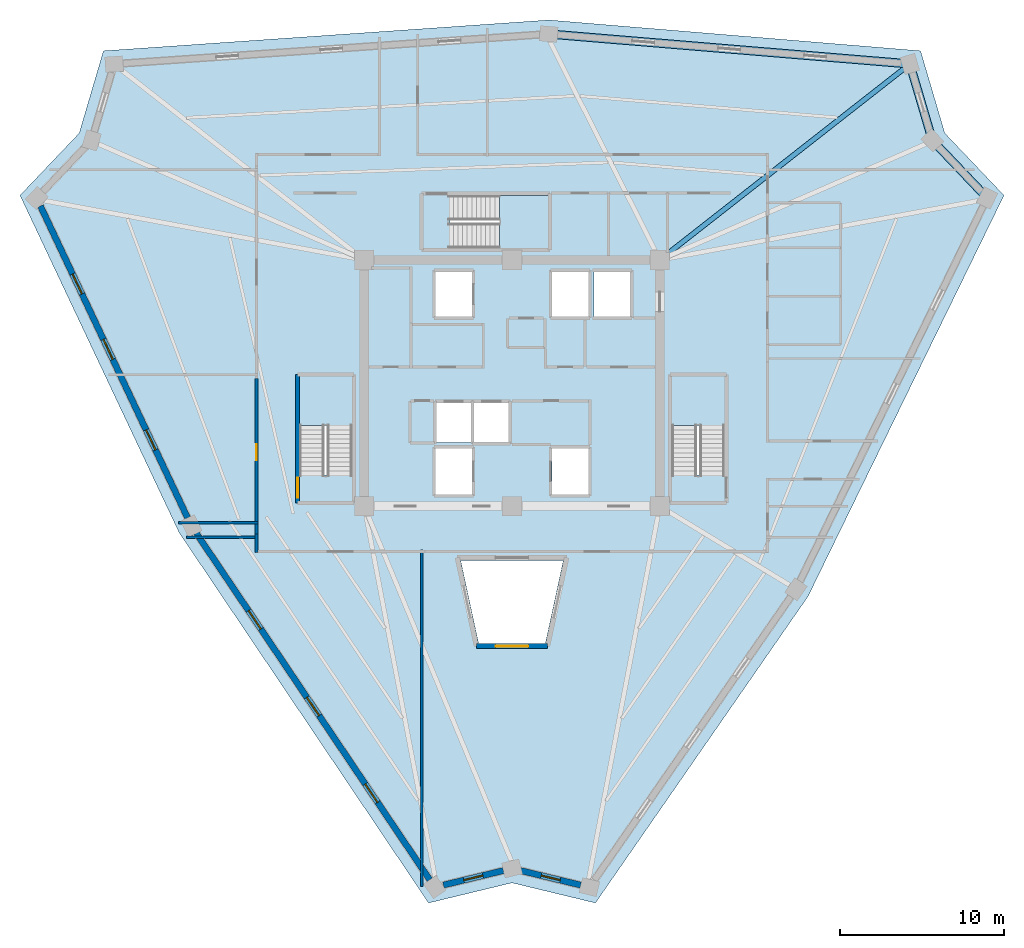
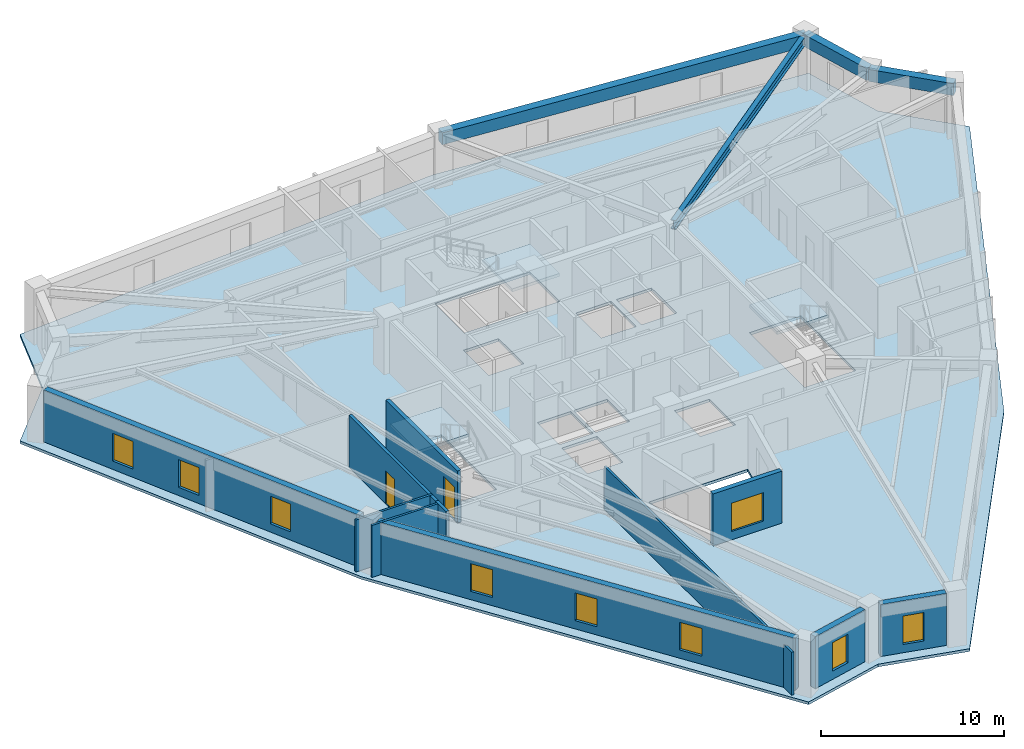
# One storey, part 2 of 8: 11 walls, 9 windows, 4 beams, 4 slabs, 2 doors, 11 openings, 3 elements without a shape of their own.
"""IFC4 building model written with IfcOpenShell, lengths in metres."""

from ifc_helpers import new_model, si_unit, direction, frame, frame_2d, origin, origin_2d, place, context, subcontext, project, spatial, polyline, rectangle, i_section, outline, extrude, source, transform, mapped, material, layer, layer_set, material_profile, profile_set, type_object, element, fill, aggregate, save


model = new_model("IFC4")

# Units and contexts
model_context = context("Model", 3, precision=1e-05, world=origin(), true_north=direction((0.0, 1.0)))
body_context = subcontext(model_context, "Body", "Model", "MODEL_VIEW")
ifc_project = project(units=[si_unit("LENGTHUNIT", "METRE"), si_unit("AREAUNIT", "SQUARE_METRE"), si_unit("VOLUMEUNIT", "CUBIC_METRE"), si_unit("PLANEANGLEUNIT", "RADIAN"), si_unit("MASSUNIT", "GRAM", prefix="KILO")], contexts=[model_context])

# Site, building, storey
site_placement = place(None, origin())
site = spatial("IfcSite", under=ifc_project, at=site_placement, CompositionType="ELEMENT")
building_placement = place(site_placement, origin())
building = spatial("IfcBuilding", under=site, at=building_placement, Name="Liaohun Quay Tower", CompositionType="ELEMENT")
storey_placement = place(building_placement, frame((0.0, 0.0, 347.25)))
storey = spatial("IfcBuildingStorey", under=building, at=storey_placement, Name="L90", CompositionType="ELEMENT", Elevation=347.25)

# Beams
ifc_material_1 = material(Name="Precast concrete C50", Category="concrete")
ifc_material_profile_1 = material_profile(ifc_material_1, rectangle(XDim=0.5, YDim=0.800048828125, at=origin_2d()), Name="RC500x800")
ifc_profile_set_1 = profile_set([ifc_material_profile_1], Name="Precast concrete C50")
beam_type_1 = type_object("IfcBeamType", Name="BM-SPD-Z4", PredefinedType="SPANDREL", material=ifc_profile_set_1)
shared_shape_1 = source(origin(), body_context, "Body", "SweptSolid", [
    extrude(rectangle(XDim=0.5, YDim=0.800048828125, at=origin_2d()), origin(), (0.0, 0.0, 1.0), 22.07666015625),
])
beam_1_placement = place(storey_placement, frame((62.23388671875, 75.262939453125, 3.070068359375), z_axis=(0.996577488484, -0.082663833976, 0.0), x_axis=(0.082663833976, 0.996577488484, 0.0)))
element("IfcBeam", 1, at=beam_1_placement, inside=storey, type_object=beam_type_1, Name="L90 Precast Spandrel Beam PC06-PC07", PredefinedType="SPANDREL", context=body_context, shape_type="MappedRepresentation", body=[
    mapped(shared_shape_1, transform((0.0, 0.0, 0.0), x_axis=(1.0, 0.0, 0.0), y_axis=(0.0, 1.0, 0.0), z_axis=(0.0, 0.0, 1.0), scale=1.0)),
])
shared_shape_2 = source(origin(), body_context, "Body", "SweptSolid", [
    extrude(rectangle(XDim=0.5, YDim=0.800048828125, at=origin_2d()), origin(), (0.0, 0.0, 1.0), 4.85205078125),
])
beam_2_placement = place(storey_placement, frame((84.235107421875, 73.43798828125, 3.070068359375), z_axis=(0.282732905255, -0.959198678213, 0.0), x_axis=(0.959198678213, 0.282732905255, 0.0)))
element("IfcBeam", 2, at=beam_2_placement, inside=storey, type_object=beam_type_1, Name="L90 Precast Spandrel Beam PC07-PC08", PredefinedType="SPANDREL", context=body_context, shape_type="MappedRepresentation", body=[
    mapped(shared_shape_2, transform((0.0, 0.0, 0.0), x_axis=(1.0, 0.0, 0.0), y_axis=(0.0, 1.0, 0.0), z_axis=(0.0, 0.0, 1.0), scale=1.0)),
])
shared_shape_3 = source(origin(), body_context, "Body", "SweptSolid", [
    extrude(rectangle(XDim=0.5, YDim=0.800048828125, at=origin_2d()), origin(), (0.0, 0.0, 1.0), 4.84326171875),
])
beam_3_placement = place(storey_placement, frame((85.60693359375, 68.783935546875, 3.070068359375), z_axis=(0.689449970501, -0.724333305997, 0.0), x_axis=(0.724333305997, 0.689449970501, 0.0)))
element("IfcBeam", 3, at=beam_3_placement, inside=storey, type_object=beam_type_1, Name="L90 Precast Spandrel Beam PC08-PC09", PredefinedType="SPANDREL", context=body_context, shape_type="MappedRepresentation", body=[
    mapped(shared_shape_3, transform((0.0, 0.0, 0.0), x_axis=(1.0, 0.0, 0.0), y_axis=(0.0, 1.0, 0.0), z_axis=(0.0, 0.0, 1.0), scale=1.0)),
])
ifc_material_2 = material(Name="Steel Q355D", Category="steel")
ifc_material_profile_2 = material_profile(ifc_material_2, i_section(OverallWidth=0.300048828125, OverallDepth=0.587890625, WebThickness=0.011962890625, FlangeThickness=0.02001953125, at=origin_2d()), Name="HM588x300x12x20")
ifc_profile_set_2 = profile_set([ifc_material_profile_2], Name="Steel Q355D")
beam_type_2 = type_object("IfcBeamType", Name="BM-RAD-U2", PredefinedType="BEAM", material=ifc_profile_set_2)
shared_shape_4 = source(origin(), body_context, "Body", "SweptSolid", [
    extrude(i_section(OverallWidth=0.300048828125, OverallDepth=0.587890625, WebThickness=0.011962890625, FlangeThickness=0.02001953125, at=origin_2d()), origin(), (0.0, 0.0, 1.0), 18.9677734375),
])
beam_4_placement = place(storey_placement, frame((69.0, 61.5, 3.176025390625), z_axis=(0.787337388481, 0.616522373236, 0.0), x_axis=(-0.616522373236, 0.787337388481, 0.0)))
element("IfcBeam", 4, at=beam_4_placement, inside=storey, type_object=beam_type_2, Name="L90 Radial Primary Girder CC4-PC07", PredefinedType="BEAM", context=body_context, shape_type="MappedRepresentation", body=[
    mapped(shared_shape_4, transform((0.0, 0.0, 0.0), x_axis=(1.0, 0.0, 0.0), y_axis=(0.0, 1.0, 0.0), z_axis=(0.0, 0.0, 1.0), scale=1.0)),
])

# Stair, slab
ifc_material_3 = material(Name="Concrete C45", Category="concrete")
stair_type = type_object("IfcStairType", Name="STR-CORE-OFF", PredefinedType="HALF_TURN_STAIR", material=ifc_material_3)
stair_1_placement = place(storey_placement, origin())
stair_1 = element("IfcStair", 5, at=stair_1_placement, inside=storey, type_object=stair_type, Name="L90 Smokeproof Core Exit Stair ST-1", PredefinedType="HALF_TURN_STAIR")
ifc_layer_1 = layer(ifc_material_3, 0.199951171875, Name="Concrete C45", Category="concrete")
ifc_layer_set_1 = layer_set([ifc_layer_1], Name="Concrete C45")
slab_type_1 = type_object("IfcSlabType", Name="SLB-LND-200", PredefinedType="LANDING", material=ifc_layer_set_1)
slab_1_placement = place(storey_placement, frame((0.0, 0.0, 1.675048828125)))
slab_1 = element("IfcSlab", 6, at=slab_1_placement, type_object=slab_type_1, Name="ST-1 landing 1", PredefinedType="LANDING", context=body_context, shape_type="SweptSolid", body=[
    extrude(outline(polyline([(50.280029296875, 51.429931640625), (50.280029296875, 54.419921875), (47.0400390625, 54.419921875), (47.0400390625, 51.429931640625), (50.280029296875, 51.429931640625)])), origin(), (0.0, 0.0, 1.0), 0.199951171875),
])
aggregate(stair_1, [slab_1])

stair_2_placement = place(storey_placement, origin())
stair_2 = element("IfcStair", 7, at=stair_2_placement, inside=storey, type_object=stair_type, Name="L90 Smokeproof Core Exit Stair ST-2", PredefinedType="HALF_TURN_STAIR")
slab_2_placement = place(storey_placement, frame((0.0, 0.0, 1.675048828125)))
slab_2 = element("IfcSlab", 8, at=slab_2_placement, type_object=slab_type_1, Name="ST-2 landing 1", PredefinedType="LANDING", context=body_context, shape_type="SweptSolid", body=[
    extrude(outline(polyline([(72.9599609375, 51.429931640625), (72.9599609375, 54.419921875), (69.719970703125, 54.419921875), (69.719970703125, 51.429931640625), (72.9599609375, 51.429931640625)])), origin(), (0.0, 0.0, 1.0), 0.199951171875),
])
aggregate(stair_2, [slab_2])

stair_3_placement = place(storey_placement, origin())
stair_3 = element("IfcStair", 9, at=stair_3_placement, inside=storey, type_object=stair_type, Name="L90 Smokeproof Core Exit Stair ST-3", PredefinedType="HALF_TURN_STAIR")
slab_3_placement = place(storey_placement, frame((0.0, 0.0, 1.675048828125)))
slab_3 = element("IfcSlab", 10, at=slab_3_placement, type_object=slab_type_1, Name="ST-3 landing 1", PredefinedType="LANDING", context=body_context, shape_type="SweptSolid", body=[
    extrude(outline(polyline([(59.22998046875, 62.199951171875), (62.219970703125, 62.199951171875), (62.219970703125, 65.43994140625), (59.22998046875, 65.43994140625), (59.22998046875, 62.199951171875)])), origin(), (0.0, 0.0, 1.0), 0.199951171875),
])
aggregate(stair_3, [slab_3])

# Slab
ifc_layer_2 = layer(ifc_material_3, 0.179931640625, Name="Concrete C45", Category="concrete")
ifc_layer_set_2 = layer_set([ifc_layer_2], Name="Concrete C45")
slab_type_2 = type_object("IfcSlabType", Name="SLB-OFF-180", PredefinedType="FLOOR", material=ifc_layer_set_2)
slab_4_placement = place(storey_placement, frame((0.0, 0.0, -0.179931640625)))
element("IfcSlab", 11, at=slab_4_placement, inside=storey, type_object=slab_type_2, Name="L90 Structural Floor Slab", PredefinedType="FLOOR", context=body_context, shape_type="SweptSolid", body=[
    extrude(outline(polyline([(54.91796875, 22.3291015625), (60.0, 23.556884765625), (65.08203125, 22.3291015625), (78.031982421875, 41.0029296875), (89.968994140625, 65.43408203125), (86.364013671875, 69.220947265625), (84.885986328125, 74.237060546875), (62.239990234375, 76.114990234375), (35.114013671875, 74.237060546875), (33.635986328125, 69.220947265625), (30.031005859375, 65.43408203125), (39.72802734375, 44.882080078125), (54.91796875, 22.3291015625)]), holes=[polyline([(57.56005859375, 50.030029296875), (55.340087890625, 50.030029296875), (55.340087890625, 47.2099609375), (57.56005859375, 47.2099609375), (57.56005859375, 50.030029296875)]), polyline([(47.0400390625, 54.419921875), (47.0400390625, 48.409912109375), (50.280029296875, 48.409912109375), (50.280029296875, 54.419921875), (47.0400390625, 54.419921875)]), polyline([(57.510009765625, 52.81005859375), (55.389892578125, 52.81005859375), (55.389892578125, 50.389892578125), (57.510009765625, 50.389892578125), (57.510009765625, 52.81005859375)]), polyline([(59.81005859375, 50.389892578125), (59.81005859375, 52.81005859375), (57.68994140625, 52.81005859375), (57.68994140625, 50.389892578125), (59.81005859375, 50.389892578125)]), polyline([(57.56005859375, 58.0400390625), (57.56005859375, 60.7900390625), (55.340087890625, 60.7900390625), (55.340087890625, 58.0400390625), (57.56005859375, 58.0400390625)]), polyline([(62.219970703125, 65.43994140625), (56.2099609375, 65.43994140625), (56.2099609375, 62.199951171875), (62.219970703125, 62.199951171875), (62.219970703125, 65.43994140625)]), polyline([(62.031005859375, 38.14111328125), (63.125, 43.199951171875), (56.875, 43.199951171875), (57.968994140625, 38.14111328125), (62.031005859375, 38.14111328125)]), polyline([(64.659912109375, 47.2099609375), (64.659912109375, 50.030029296875), (62.43994140625, 50.030029296875), (62.43994140625, 47.2099609375), (64.659912109375, 47.2099609375)]), polyline([(69.719970703125, 54.419921875), (69.719970703125, 48.409912109375), (72.9599609375, 48.409912109375), (72.9599609375, 54.419921875), (69.719970703125, 54.419921875)]), polyline([(64.659912109375, 58.0400390625), (64.659912109375, 60.7900390625), (62.43994140625, 60.7900390625), (62.43994140625, 58.0400390625), (64.659912109375, 58.0400390625)]), polyline([(67.2099609375, 58.0400390625), (67.2099609375, 60.7900390625), (64.989990234375, 60.7900390625), (64.989990234375, 58.0400390625), (67.2099609375, 58.0400390625)])]), origin(), (0.0, 0.0, 1.0), 0.179931640625),
])

# Wall, opening, window
ifc_material_4 = material(Name="Concrete C50", Category="concrete")
ifc_layer_3 = layer(ifc_material_4, 0.300048828125, Name="Concrete C50", Category="concrete")
ifc_layer_set_3 = layer_set([ifc_layer_3], Name="Concrete C50")
wall_type_1 = type_object("IfcWallType", Name="WAL-ATR-300", PredefinedType="SOLIDWALL", material=ifc_layer_set_3)
wall_1_placement = place(storey_placement, frame((62.16796875, 37.970947265625, 0.0), z_axis=(0.0, 0.0, 1.0), x_axis=(-1.0, 0.0, 0.0)))
wall_1 = element("IfcWall", 12, at=wall_1_placement, inside=storey, type_object=wall_type_1, Name="L90 Atrium Fire Compartment Wall 4", PredefinedType="SOLIDWALL", context=body_context, shape_type="SweptSolid", body=[
    extrude(rectangle(XDim=4.3359375, YDim=0.300048828125, at=frame_2d((2.16796875, 0.0))), origin(), (0.0, 0.0, 1.0), 3.469970703125),
])
shared_shape_5 = source(origin(), body_context, "Body", "SweptSolid", [
    extrude(rectangle(XDim=2.0, YDim=1.89990234375, at=frame_2d((1.0, 0.949951171875))), frame((0.0, 0.159912109375, 0.0), z_axis=(0.0, -1.0, 0.0), x_axis=(1.0, 0.0, 0.0)), (0.0, 0.0, 1.0), 0.320068359375),
])
opening_1_placement = place(wall_1_placement, frame((1.16796875, 0.0, 0.550048828125)))
opening_1 = element("IfcOpeningElement", 13, at=opening_1_placement, cuts=wall_1, Name="Opening W07", PredefinedType="OPENING", context=body_context, shape_type="MappedRepresentation", body=[
    mapped(shared_shape_5, transform((0.0, 0.0, 0.0), x_axis=(1.0, 0.0, 0.0), y_axis=(0.0, 1.0, 0.0), z_axis=(0.0, 0.0, 1.0), scale=1.0)),
])
ifc_material_5 = material(Name="Class A 180-min fire-resistant insulated glazing", Category="glass")
window_type_1 = type_object("IfcWindowType", Name="WIN-ATR-FIR", PartitioningType="DOUBLE_PANEL_VERTICAL", PredefinedType="WINDOW", material=ifc_material_5)
shared_shape_6 = source(origin(), body_context, "Body", "SweptSolid", [
    extrude(rectangle(XDim=2.0, YDim=1.89990234375, at=frame_2d((1.0, 0.949951171875))), frame((0.0, 0.030029296875, 0.0), z_axis=(0.0, -1.0, 0.0), x_axis=(1.0, 0.0, 0.0)), (0.0, 0.0, 1.0), 0.06005859375),
])
window_1_placement = place(opening_1_placement, origin())
window_1 = element("IfcWindow", 14, at=window_1_placement, inside=storey, type_object=window_type_1, Name="L90 Atrium Fire-Resistant Glazing W07-4", OverallHeight=1.89990234375, OverallWidth=2.0, PartitioningType="DOUBLE_PANEL_VERTICAL", PredefinedType="WINDOW", context=body_context, shape_type="MappedRepresentation", body=[
    mapped(shared_shape_6, transform((0.0, 0.0, 0.0), x_axis=(1.0, 0.0, 0.0), y_axis=(0.0, 1.0, 0.0), z_axis=(0.0, 0.0, 1.0), scale=1.0)),
])
fill(opening_1, window_1)

ifc_material_6 = material(Name="Precast concrete C50 insulated sandwich", Category="concrete")
ifc_layer_4 = layer(ifc_material_6, 0.3798828125, Name="Precast concrete C50 insulated sandwich", Category="concrete")
ifc_layer_set_4 = layer_set([ifc_layer_4], Name="Precast concrete C50 insulated sandwich")
wall_type_2 = type_object("IfcWallType", Name="WAL-EXT-Z34", PredefinedType="SOLIDWALL", material=ifc_layer_set_4)
wall_2_placement = place(storey_placement, frame((60.52490234375, 24.303955078125, 0.0), z_axis=(0.0, 0.0, 1.0), x_axis=(0.972061323931, -0.234727038319, 0.0)))
wall_2 = element("IfcWall", 15, at=wall_2_placement, inside=storey, type_object=wall_type_2, Name="L90 Brutalist Precast Pier Wall 01", PredefinedType="SOLIDWALL", context=body_context, shape_type="SweptSolid", body=[
    extrude(rectangle(XDim=3.770263671875, YDim=0.3798828125, at=frame_2d((1.88525390625, 0.0))), origin(), (0.0, 0.0, 1.0), 3.469970703125),
])
shared_shape_7 = source(origin(), body_context, "Body", "SweptSolid", [
    extrude(rectangle(XDim=1.199951171875, YDim=1.89990234375, at=frame_2d((0.60009765625, 0.949951171875))), frame((0.0, 0.199951171875, 0.0), z_axis=(0.0, -1.0, 0.0), x_axis=(1.0, 0.0, 0.0)), (0.0, 0.0, 1.0), 0.39990234375),
])
opening_2_placement = place(wall_2_placement, frame((1.284912109375, 0.0, 0.550048828125)))
opening_2 = element("IfcOpeningElement", 16, at=opening_2_placement, cuts=wall_2, Name="Opening W05", PredefinedType="OPENING", context=body_context, shape_type="MappedRepresentation", body=[
    mapped(shared_shape_7, transform((0.0, 0.0, 0.0), x_axis=(1.0, 0.0, 0.0), y_axis=(0.0, 1.0, 0.0), z_axis=(0.0, 0.0, 1.0), scale=1.0)),
])
ifc_material_7 = material(Name="Triple Low-E corner notch glazing", Category="glass")
window_type_2 = type_object("IfcWindowType", Name="WIN-NOTCH", PartitioningType="SINGLE_PANEL", PredefinedType="WINDOW", material=ifc_material_7)
shared_shape_8 = source(origin(), body_context, "Body", "SweptSolid", [
    extrude(rectangle(XDim=1.199951171875, YDim=1.89990234375, at=frame_2d((0.60009765625, 0.949951171875))), frame((0.0, 0.030029296875, 0.0), z_axis=(0.0, -1.0, 0.0), x_axis=(1.0, 0.0, 0.0)), (0.0, 0.0, 1.0), 0.06005859375),
])
window_2_placement = place(opening_2_placement, origin())
window_2 = element("IfcWindow", 17, at=window_2_placement, inside=storey, type_object=window_type_2, Name="L90 Corner Notch Window W05-01", OverallHeight=1.89990234375, OverallWidth=1.199951171875, PartitioningType="SINGLE_PANEL", PredefinedType="WINDOW", context=body_context, shape_type="MappedRepresentation", body=[
    mapped(shared_shape_8, transform((0.0, 0.0, 0.0), x_axis=(1.0, 0.0, 0.0), y_axis=(0.0, 1.0, 0.0), z_axis=(0.0, 0.0, 1.0), scale=1.0)),
])
fill(opening_2, window_2)

# Wall, openings, windows
wall_3_placement = place(storey_placement, frame((31.278076171875, 64.781982421875, 0.0), z_axis=(0.0, 0.0, 1.0), x_axis=(0.426732975356, -0.904377668756, 0.0)))
wall_3 = element("IfcWall", 18, at=wall_3_placement, inside=storey, type_object=wall_type_2, Name="L90 Brutalist Precast Pier Wall 10", PredefinedType="SOLIDWALL", context=body_context, shape_type="SweptSolid", body=[
    extrude(rectangle(XDim=20.9990234375, YDim=0.3798828125, at=frame_2d((10.49951171875, 0.0))), origin(), (0.0, 0.0, 1.0), 3.469970703125),
])
shared_shape_9 = source(origin(), body_context, "Body", "SweptSolid", [
    extrude(rectangle(XDim=1.35009765625, YDim=1.85009765625, at=frame_2d((0.675048828125, 0.925048828125))), frame((0.0, 0.199951171875, 0.0), z_axis=(0.0, -1.0, 0.0), x_axis=(1.0, 0.0, 0.0)), (0.0, 0.0, 1.0), 0.39990234375),
])
opening_3_placement = place(wall_3_placement, frame((4.574951171875, 0.0, 0.550048828125)))
opening_3 = element("IfcOpeningElement", 19, at=opening_3_placement, cuts=wall_3, Name="Opening W04", PredefinedType="OPENING", context=body_context, shape_type="MappedRepresentation", body=[
    mapped(shared_shape_9, transform((0.0, 0.0, 0.0), x_axis=(1.0, 0.0, 0.0), y_axis=(0.0, 1.0, 0.0), z_axis=(0.0, 0.0, 1.0), scale=1.0)),
])
opening_4_placement = place(wall_3_placement, frame((8.97412109375, 0.0, 0.550048828125)))
opening_4 = element("IfcOpeningElement", 20, at=opening_4_placement, cuts=wall_3, Name="Opening W04", PredefinedType="OPENING", context=body_context, shape_type="MappedRepresentation", body=[
    mapped(shared_shape_9, transform((0.0, 0.0, 0.0), x_axis=(1.0, 0.0, 0.0), y_axis=(0.0, 1.0, 0.0), z_axis=(0.0, 0.0, 1.0), scale=1.0)),
])
opening_5_placement = place(wall_3_placement, frame((15.073974609375, 0.0, 0.550048828125)))
opening_5 = element("IfcOpeningElement", 21, at=opening_5_placement, cuts=wall_3, Name="Opening W04", PredefinedType="OPENING", context=body_context, shape_type="MappedRepresentation", body=[
    mapped(shared_shape_9, transform((0.0, 0.0, 0.0), x_axis=(1.0, 0.0, 0.0), y_axis=(0.0, 1.0, 0.0), z_axis=(0.0, 0.0, 1.0), scale=1.0)),
])
ifc_material_8 = material(Name="Triple Low-E argon glazing in thermally broken aluminium", Category="aluminium")
window_type_3 = type_object("IfcWindowType", Name="WIN-PUN-Z4", PartitioningType="SINGLE_PANEL", PredefinedType="WINDOW", material=ifc_material_8)
shared_shape_10 = source(origin(), body_context, "Body", "SweptSolid", [
    extrude(rectangle(XDim=1.35009765625, YDim=1.85009765625, at=frame_2d((0.675048828125, 0.925048828125))), frame((0.0, 0.030029296875, 0.0), z_axis=(0.0, -1.0, 0.0), x_axis=(1.0, 0.0, 0.0)), (0.0, 0.0, 1.0), 0.06005859375),
])
window_3_placement = place(opening_3_placement, origin())
window_3 = element("IfcWindow", 22, at=window_3_placement, inside=storey, type_object=window_type_3, Name="L90 Recessed Cold-Climate Punched Window 10-1", OverallHeight=1.85009765625, OverallWidth=1.35009765625, PartitioningType="SINGLE_PANEL", PredefinedType="WINDOW", context=body_context, shape_type="MappedRepresentation", body=[
    mapped(shared_shape_10, transform((0.0, 0.0, 0.0), x_axis=(1.0, 0.0, 0.0), y_axis=(0.0, 1.0, 0.0), z_axis=(0.0, 0.0, 1.0), scale=1.0)),
])
fill(opening_3, window_3)
window_4_placement = place(opening_4_placement, origin())
window_4 = element("IfcWindow", 23, at=window_4_placement, inside=storey, type_object=window_type_3, Name="L90 Recessed Cold-Climate Punched Window 10-2", OverallHeight=1.85009765625, OverallWidth=1.35009765625, PartitioningType="SINGLE_PANEL", PredefinedType="WINDOW", context=body_context, shape_type="MappedRepresentation", body=[
    mapped(shared_shape_10, transform((0.0, 0.0, 0.0), x_axis=(1.0, 0.0, 0.0), y_axis=(0.0, 1.0, 0.0), z_axis=(0.0, 0.0, 1.0), scale=1.0)),
])
fill(opening_4, window_4)
window_5_placement = place(opening_5_placement, origin())
window_5 = element("IfcWindow", 24, at=window_5_placement, inside=storey, type_object=window_type_3, Name="L90 Recessed Cold-Climate Punched Window 10-3", OverallHeight=1.85009765625, OverallWidth=1.35009765625, PartitioningType="SINGLE_PANEL", PredefinedType="WINDOW", context=body_context, shape_type="MappedRepresentation", body=[
    mapped(shared_shape_10, transform((0.0, 0.0, 0.0), x_axis=(1.0, 0.0, 0.0), y_axis=(0.0, 1.0, 0.0), z_axis=(0.0, 0.0, 1.0), scale=1.0)),
])
fill(opening_5, window_5)

wall_4_placement = place(storey_placement, frame((40.77099609375, 44.85498046875, 0.0), z_axis=(0.0, 0.0, 1.0), x_axis=(0.558627041585, -0.82941897037, 0.0)))
wall_4 = element("IfcWall", 25, at=wall_4_placement, inside=storey, type_object=wall_type_2, Name="L90 Brutalist Precast Pier Wall 11", PredefinedType="SOLIDWALL", context=body_context, shape_type="SweptSolid", body=[
    extrude(rectangle(XDim=25.455322265625, YDim=0.3798828125, at=frame_2d((12.7275390625, 0.0))), origin(), (0.0, 0.0, 1.0), 3.469970703125),
])
opening_6_placement = place(wall_4_placement, frame((5.68896484375, 0.0, 0.550048828125)))
opening_6 = element("IfcOpeningElement", 26, at=opening_6_placement, cuts=wall_4, Name="Opening W04", PredefinedType="OPENING", context=body_context, shape_type="MappedRepresentation", body=[
    mapped(shared_shape_9, transform((0.0, 0.0, 0.0), x_axis=(1.0, 0.0, 0.0), y_axis=(0.0, 1.0, 0.0), z_axis=(0.0, 0.0, 1.0), scale=1.0)),
])
opening_7_placement = place(wall_4_placement, frame((12.052978515625, 0.0, 0.550048828125)))
opening_7 = element("IfcOpeningElement", 27, at=opening_7_placement, cuts=wall_4, Name="Opening W04", PredefinedType="OPENING", context=body_context, shape_type="MappedRepresentation", body=[
    mapped(shared_shape_9, transform((0.0, 0.0, 0.0), x_axis=(1.0, 0.0, 0.0), y_axis=(0.0, 1.0, 0.0), z_axis=(0.0, 0.0, 1.0), scale=1.0)),
])
opening_8_placement = place(wall_4_placement, frame((18.416015625, 0.0, 0.550048828125)))
opening_8 = element("IfcOpeningElement", 28, at=opening_8_placement, cuts=wall_4, Name="Opening W04", PredefinedType="OPENING", context=body_context, shape_type="MappedRepresentation", body=[
    mapped(shared_shape_9, transform((0.0, 0.0, 0.0), x_axis=(1.0, 0.0, 0.0), y_axis=(0.0, 1.0, 0.0), z_axis=(0.0, 0.0, 1.0), scale=1.0)),
])
window_6_placement = place(opening_6_placement, origin())
window_6 = element("IfcWindow", 29, at=window_6_placement, inside=storey, type_object=window_type_3, Name="L90 Recessed Cold-Climate Punched Window 11-1", OverallHeight=1.85009765625, OverallWidth=1.35009765625, PartitioningType="SINGLE_PANEL", PredefinedType="WINDOW", context=body_context, shape_type="MappedRepresentation", body=[
    mapped(shared_shape_10, transform((0.0, 0.0, 0.0), x_axis=(1.0, 0.0, 0.0), y_axis=(0.0, 1.0, 0.0), z_axis=(0.0, 0.0, 1.0), scale=1.0)),
])
fill(opening_6, window_6)
window_7_placement = place(opening_7_placement, origin())
window_7 = element("IfcWindow", 30, at=window_7_placement, inside=storey, type_object=window_type_3, Name="L90 Recessed Cold-Climate Punched Window 11-2", OverallHeight=1.85009765625, OverallWidth=1.35009765625, PartitioningType="SINGLE_PANEL", PredefinedType="WINDOW", context=body_context, shape_type="MappedRepresentation", body=[
    mapped(shared_shape_10, transform((0.0, 0.0, 0.0), x_axis=(1.0, 0.0, 0.0), y_axis=(0.0, 1.0, 0.0), z_axis=(0.0, 0.0, 1.0), scale=1.0)),
])
fill(opening_7, window_7)
window_8_placement = place(opening_8_placement, origin())
window_8 = element("IfcWindow", 31, at=window_8_placement, inside=storey, type_object=window_type_3, Name="L90 Recessed Cold-Climate Punched Window 11-3", OverallHeight=1.85009765625, OverallWidth=1.35009765625, PartitioningType="SINGLE_PANEL", PredefinedType="WINDOW", context=body_context, shape_type="MappedRepresentation", body=[
    mapped(shared_shape_10, transform((0.0, 0.0, 0.0), x_axis=(1.0, 0.0, 0.0), y_axis=(0.0, 1.0, 0.0), z_axis=(0.0, 0.0, 1.0), scale=1.0)),
])
fill(opening_8, window_8)

# Wall, opening, window
wall_5_placement = place(storey_placement, frame((55.818115234375, 23.4208984375, 0.0), z_axis=(0.0, 0.0, 1.0), x_axis=(0.972061788498, 0.234725114427, 0.0)))
wall_5 = element("IfcWall", 32, at=wall_5_placement, inside=storey, type_object=wall_type_2, Name="L90 Brutalist Precast Pier Wall 12", PredefinedType="SOLIDWALL", context=body_context, shape_type="SweptSolid", body=[
    extrude(rectangle(XDim=3.76220703125, YDim=0.3798828125, at=frame_2d((1.881103515625, 0.0))), origin(), (0.0, 0.0, 1.0), 3.469970703125),
])
opening_9_placement = place(wall_5_placement, frame((1.281005859375, 0.0, 0.550048828125)))
opening_9 = element("IfcOpeningElement", 33, at=opening_9_placement, cuts=wall_5, Name="Opening W05", PredefinedType="OPENING", context=body_context, shape_type="MappedRepresentation", body=[
    mapped(shared_shape_7, transform((0.0, 0.0, 0.0), x_axis=(1.0, 0.0, 0.0), y_axis=(0.0, 1.0, 0.0), z_axis=(0.0, 0.0, 1.0), scale=1.0)),
])
window_9_placement = place(opening_9_placement, origin())
window_9 = element("IfcWindow", 34, at=window_9_placement, inside=storey, type_object=window_type_2, Name="L90 Corner Notch Window W05-12", OverallHeight=1.89990234375, OverallWidth=1.199951171875, PartitioningType="SINGLE_PANEL", PredefinedType="WINDOW", context=body_context, shape_type="MappedRepresentation", body=[
    mapped(shared_shape_8, transform((0.0, 0.0, 0.0), x_axis=(1.0, 0.0, 0.0), y_axis=(0.0, 1.0, 0.0), z_axis=(0.0, 0.0, 1.0), scale=1.0)),
])
fill(opening_9, window_9)

# Wall, opening, door
ifc_material_9 = material(Name="Autoclaved aerated concrete blockwork", Category="masonry")
ifc_layer_5 = layer(ifc_material_9, 0.179931640625, Name="Autoclaved aerated concrete blockwork", Category="masonry")
ifc_layer_set_5 = layer_set([ifc_layer_5], Name="Autoclaved aerated concrete blockwork")
wall_type_3 = type_object("IfcWallType", Name="WAL-PRT-COR", PredefinedType="PARTITIONING", material=ifc_layer_set_5)
wall_6_placement = place(storey_placement, frame((44.43994140625, 44.81494140625, 0.0), z_axis=(0.0, 0.0, 1.0), x_axis=(0.0, 1.0, 0.0)))
wall_6 = element("IfcWall", 35, at=wall_6_placement, inside=storey, type_object=wall_type_3, Name="L90 Interior Partition Wall 020", PredefinedType="PARTITIONING", context=body_context, shape_type="SweptSolid", body=[
    extrude(rectangle(XDim=9.469970703125, YDim=0.179931640625, at=frame_2d((4.73486328125, 0.0))), origin(), (0.0, 0.0, 1.0), 3.469970703125),
])
shared_shape_11 = source(origin(), body_context, "Body", "SweptSolid", [
    extrude(rectangle(XDim=1.0, YDim=2.199951171875, at=frame_2d((0.5, 1.10009765625))), frame((0.0, 0.099853515625, 0.0), z_axis=(0.0, -1.0, 0.0), x_axis=(1.0, 0.0, 0.0)), (0.0, 0.0, 1.0), 0.199951171875),
])
opening_10_placement = place(wall_6_placement, frame((4.469970703125, 0.0, 0.0)))
opening_10 = element("IfcOpeningElement", 36, at=opening_10_placement, cuts=wall_6, Name="Opening OD1", PredefinedType="OPENING", context=body_context, shape_type="MappedRepresentation", body=[
    mapped(shared_shape_11, transform((0.0, 0.0, 0.0), x_axis=(1.0, 0.0, 0.0), y_axis=(0.0, 1.0, 0.0), z_axis=(0.0, 0.0, 1.0), scale=1.0)),
])
ifc_material_10 = material(Name="Solid-core oak veneer timber leaf in steel frame", Category="steel")
door_type_1 = type_object("IfcDoorType", Name="DOR-OFF-1000", OperationType="NOTDEFINED", PredefinedType="DOOR", material=ifc_material_10)
shared_shape_12 = source(origin(), body_context, "Body", "SweptSolid", [
    extrude(rectangle(XDim=1.0, YDim=2.199951171875, at=frame_2d((0.5, 1.10009765625))), frame((0.0, 0.02490234375, 0.0), z_axis=(0.0, -1.0, 0.0), x_axis=(1.0, 0.0, 0.0)), (0.0, 0.0, 1.0), 0.050048828125),
])
door_1_placement = place(opening_10_placement, origin())
door_1 = element("IfcDoor", 37, at=door_1_placement, inside=storey, type_object=door_type_1, Name="L90 Staff Tea Kitchen and Pantry 06 Door", OperationType="SINGLE_SWING_LEFT", OverallHeight=2.199951171875, OverallWidth=1.0, PredefinedType="DOOR", context=body_context, shape_type="MappedRepresentation", body=[
    mapped(shared_shape_12, transform((0.0, 0.0, 0.0), x_axis=(1.0, 0.0, 0.0), y_axis=(0.0, 1.0, 0.0), z_axis=(0.0, 0.0, 1.0), scale=1.0)),
])
fill(opening_10, door_1)

# Walls
wall_7_placement = place(storey_placement, frame((44.43994140625, 43.669921875, 0.0), z_axis=(0.0, 0.0, 1.0), x_axis=(0.0, 1.0, 0.0)))
element("IfcWall", 38, at=wall_7_placement, inside=storey, type_object=wall_type_3, Name="L90 Interior Partition Wall 044", PredefinedType="PARTITIONING", context=body_context, shape_type="SweptSolid", body=[
    extrude(rectangle(XDim=1.14501953125, YDim=0.179931640625, at=frame_2d((0.572509765625, 0.0))), origin(), (0.0, 0.0, 1.0), 3.469970703125),
])
ifc_material_11 = material(Name="Gypsum board on twin steel studs", Category="steel")
ifc_layer_6 = layer(ifc_material_11, 0.139892578125, Name="Gypsum board on twin steel studs", Category="steel")
ifc_layer_set_6 = layer_set([ifc_layer_6], Name="Gypsum board on twin steel studs")
wall_type_4 = type_object("IfcWallType", Name="WAL-PRT-OFF", PredefinedType="PARTITIONING", material=ifc_layer_set_6)
wall_8_placement = place(storey_placement, frame((44.5400390625, 44.60009765625, 0.0), z_axis=(0.0, 0.0, 1.0), x_axis=(-1.0, 0.0, 0.0)))
element("IfcWall", 39, at=wall_8_placement, inside=storey, type_object=wall_type_4, Name="L90 Interior Partition Wall 048", PredefinedType="PARTITIONING", context=body_context, shape_type="SweptSolid", body=[
    extrude(rectangle(XDim=4.35693359375, YDim=0.139892578125, at=frame_2d((2.178466796875, 0.0))), origin(), (0.0, 0.0, 1.0), 3.469970703125),
])
wall_9_placement = place(storey_placement, frame((44.5400390625, 45.5, 0.0), z_axis=(0.0, 0.0, 1.0), x_axis=(-1.0, 0.0, 0.0)))
element("IfcWall", 40, at=wall_9_placement, inside=storey, type_object=wall_type_4, Name="L90 Interior Partition Wall 049", PredefinedType="PARTITIONING", context=body_context, shape_type="SweptSolid", body=[
    extrude(rectangle(XDim=4.860107421875, YDim=0.139892578125, at=frame_2d((2.43017578125, 0.0))), origin(), (0.0, 0.0, 1.0), 3.469970703125),
])
wall_10_placement = place(storey_placement, frame((54.5, 43.840087890625, 0.0), z_axis=(0.0, 0.0, 1.0), x_axis=(0.0, -1.0, 0.0)))
element("IfcWall", 41, at=wall_10_placement, inside=storey, type_object=wall_type_4, Name="L90 Interior Partition Wall 057", PredefinedType="PARTITIONING", context=body_context, shape_type="SweptSolid", body=[
    extrude(rectangle(XDim=20.4970703125, YDim=0.139892578125, at=frame_2d((10.24853515625, 0.0))), origin(), (0.0, 0.0, 1.0), 2.866943359375),
])

# Wall, opening, door
ifc_layer_7 = layer(ifc_material_4, 0.239990234375, Name="Concrete C50", Category="concrete")
ifc_layer_set_7 = layer_set([ifc_layer_7], Name="Concrete C50")
wall_type_5 = type_object("IfcWallType", Name="WAL-SHF-200", PredefinedType="SOLIDWALL", material=ifc_layer_set_7)
wall_11_placement = place(storey_placement, frame((46.93994140625, 54.52001953125, 0.0), z_axis=(0.0, 0.0, 1.0), x_axis=(0.0, -1.0, 0.0)))
wall_11 = element("IfcWall", 42, at=wall_11_placement, inside=storey, type_object=wall_type_5, Name="L90 Stairwell ST-1 Structural Core Wall W", PredefinedType="SOLIDWALL", context=body_context, shape_type="SweptSolid", body=[
    extrude(rectangle(XDim=7.820068359375, YDim=0.239990234375, at=frame_2d((3.91015625, 0.0))), origin(), (0.0, 0.0, 1.0), 3.469970703125),
])
shared_shape_13 = source(origin(), body_context, "Body", "SweptSolid", [
    extrude(rectangle(XDim=1.199951171875, YDim=2.199951171875, at=frame_2d((0.60009765625, 1.10009765625))), frame((0.0, 0.1298828125, 0.0), z_axis=(0.0, -1.0, 0.0), x_axis=(1.0, 0.0, 0.0)), (0.0, 0.0, 1.0), 0.260009765625),
])
opening_11_placement = place(wall_11_placement, frame((6.300048828125, 0.0, 0.0)))
opening_11 = element("IfcOpeningElement", 43, at=opening_11_placement, cuts=wall_11, Name="Opening SD1", PredefinedType="OPENING", context=body_context, shape_type="MappedRepresentation", body=[
    mapped(shared_shape_13, transform((0.0, 0.0, 0.0), x_axis=(1.0, 0.0, 0.0), y_axis=(0.0, 1.0, 0.0), z_axis=(0.0, 0.0, 1.0), scale=1.0)),
])
ifc_material_12 = material(Name="Galvanised steel fire door", Category="steel")
door_type_2 = type_object("IfcDoorType", Name="DOR-STR-1200", OperationType="NOTDEFINED", PredefinedType="DOOR", material=ifc_material_12)
shared_shape_14 = source(origin(), body_context, "Body", "SweptSolid", [
    extrude(rectangle(XDim=1.199951171875, YDim=2.199951171875, at=frame_2d((0.60009765625, 1.10009765625))), frame((0.0, 0.02490234375, 0.0), z_axis=(0.0, -1.0, 0.0), x_axis=(1.0, 0.0, 0.0)), (0.0, 0.0, 1.0), 0.050048828125),
])
door_2_placement = place(opening_11_placement, origin())
door_2 = element("IfcDoor", 44, at=door_2_placement, inside=storey, type_object=door_type_2, Name="L90 Protected Stair ST-1 Fire Door", OperationType="SINGLE_SWING_LEFT", OverallHeight=2.199951171875, OverallWidth=1.199951171875, PredefinedType="DOOR", context=body_context, shape_type="MappedRepresentation", body=[
    mapped(shared_shape_14, transform((0.0, 0.0, 0.0), x_axis=(1.0, 0.0, 0.0), y_axis=(0.0, 1.0, 0.0), z_axis=(0.0, 0.0, 1.0), scale=1.0)),
])
fill(opening_11, door_2)

save(model, "model.ifc")
